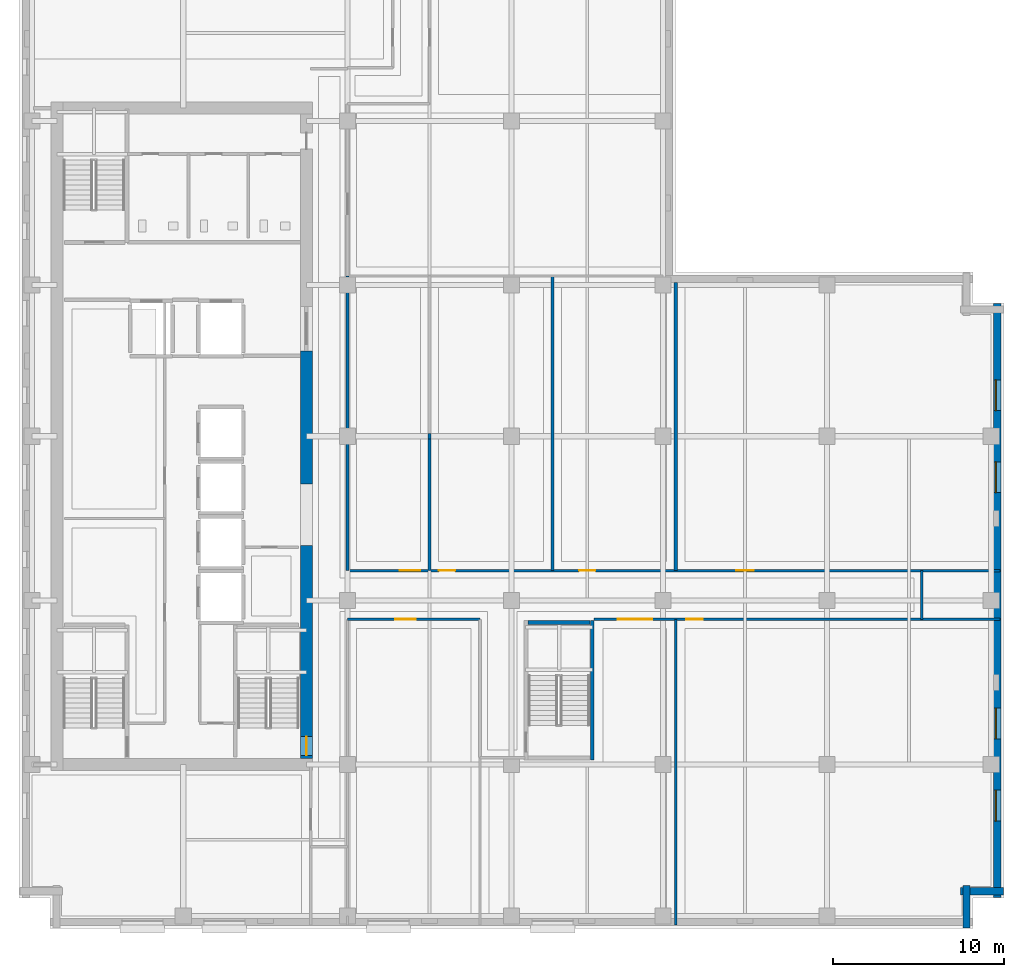
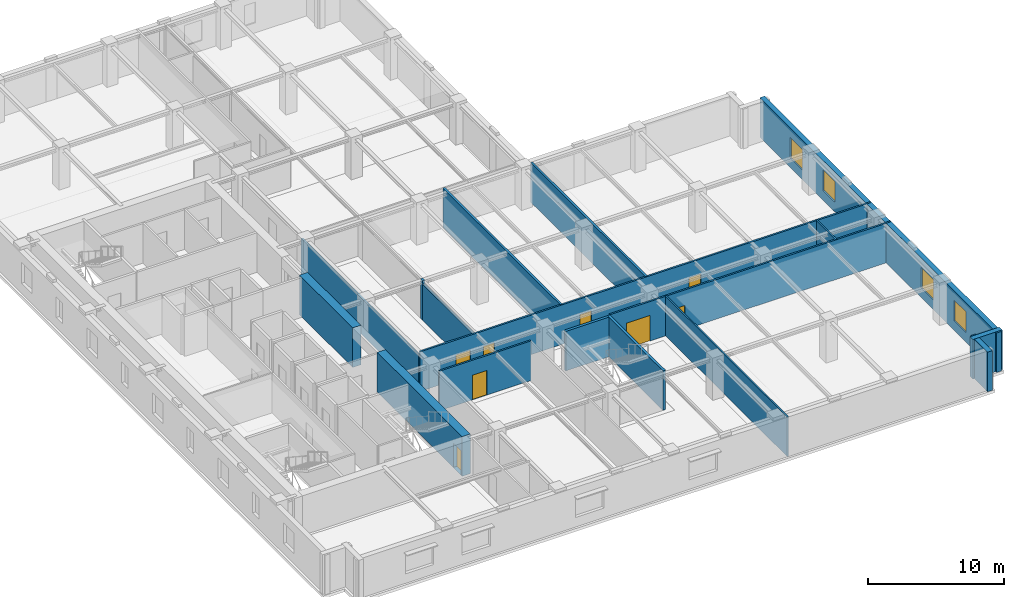
# One storey, part 5 of 13: 17 walls, 8 doors, 4 windows, 12 openings.
"""IFC4 building model written with IfcOpenShell, lengths in metres."""

from ifc_helpers import new_model, si_unit, direction, frame, frame_2d, origin, place, context, subcontext, project, spatial, rectangle, extrude, material, layer, layer_set, type_object, element, fill, save


model = new_model("IFC4")

# Units and contexts
model_context = context("Model", 3, precision=1e-05, world=origin(), true_north=direction((0.0, 1.0)))
body_context = subcontext(model_context, "Body", "Model", "MODEL_VIEW")
ifc_project = project(units=[si_unit("LENGTHUNIT", "METRE"), si_unit("AREAUNIT", "SQUARE_METRE"), si_unit("VOLUMEUNIT", "CUBIC_METRE"), si_unit("PLANEANGLEUNIT", "RADIAN"), si_unit("MASSUNIT", "GRAM", prefix="KILO")], contexts=[model_context])

# Site, building, storey
site_placement = place(None, origin())
site = spatial("IfcSite", under=ifc_project, at=site_placement, CompositionType="ELEMENT")
building_placement = place(site_placement, origin())
building = spatial("IfcBuilding", under=site, at=building_placement, Name="Norrvale University Quadrangle", CompositionType="ELEMENT")
storey_placement = place(building_placement, frame((0.0, 0.0, 175.0)))
storey = spatial("IfcBuildingStorey", under=building, at=storey_placement, Name="L44", CompositionType="ELEMENT", Elevation=175.0)

# Walls
ifc_material_1 = material(Name="Buff Norman Clay Brick Masonry", Category="masonry")
ifc_layer_1 = layer(ifc_material_1, 0.419921875, Name="Buff Norman Clay Brick Masonry")
ifc_layer_set_1 = layer_set([ifc_layer_1], Name="Buff Norman Clay Brick Masonry")
wall_type_1 = type_object("IfcWallType", Name="Wall Buff Brick 420", PredefinedType="SOLIDWALL", material=ifc_layer_set_1)
for number, where, z_axis, x_axis, name in (
    (1, (55.409912109375, 0.0400390625, 0.0), (0.0, 0.0, 1.0), (0.0, 1.0, 0.0), "Exterior Brick Facade Wall L44-02.1"),
    (2, (55.06005859375, 2.18994140625, 0.0), (0.0, 0.0, 1.0), (1.0, 0.0, 0.0), "Exterior Brick Facade Wall L44-03.1"),
):
    element("IfcWall", number, at=place(storey_placement, frame(where, z_axis=z_axis, x_axis=x_axis)), inside=storey, type_object=wall_type_1, Name=name, PredefinedType="SOLIDWALL", context=body_context, shape_type="SweptSolid", body=[
        extrude(rectangle(XDim=2.5, YDim=0.419921875, at=frame_2d((1.25, 0.0))), origin(), (0.0, 0.0, 1.0), 3.5400390625),
    ])

# Wall, openings, windows
wall_1_placement = place(storey_placement, frame((57.2099609375, 1.840087890625, 0.0), z_axis=(0.0, 0.0, 1.0), x_axis=(0.0, 1.0, 0.0)))
wall_1 = element("IfcWall", 3, at=wall_1_placement, inside=storey, type_object=wall_type_1, Name="Exterior Brick Facade Wall L44-04.1", PredefinedType="SOLIDWALL", context=body_context, shape_type="SweptSolid", body=[
    extrude(rectangle(XDim=34.719970703125, YDim=0.419921875, at=frame_2d((17.35986328125, 0.0))), origin(), (0.0, 0.0, 1.0), 3.5400390625),
])
opening_1_placement = place(wall_1_placement, frame((4.4599609375, 0.0, 0.85009765625)))
opening_1 = element("IfcOpeningElement", 4, at=opening_1_placement, cuts=wall_1, Name="Opening W01", PredefinedType="OPENING", context=body_context, shape_type="SweptSolid", body=[
    extrude(rectangle(XDim=1.800048828125, YDim=1.85009765625, at=frame_2d((0.89990234375, 0.925048828125))), frame((0.0, 0.221923828125, 0.0), z_axis=(0.0, -1.0, 0.0), x_axis=(1.0, 0.0, 0.0)), (0.0, 0.0, 1.0), 0.44384765625),
])
opening_2_placement = place(wall_1_placement, frame((9.260009765625, 0.0, 0.85009765625)))
opening_2 = element("IfcOpeningElement", 5, at=opening_2_placement, cuts=wall_1, Name="Opening W01", PredefinedType="OPENING", context=body_context, shape_type="SweptSolid", body=[
    extrude(rectangle(XDim=1.800048828125, YDim=1.85009765625, at=frame_2d((0.89990234375, 0.925048828125))), frame((0.0, 0.221923828125, 0.0), z_axis=(0.0, -1.0, 0.0), x_axis=(1.0, 0.0, 0.0)), (0.0, 0.0, 1.0), 0.44384765625),
])
opening_3_placement = place(wall_1_placement, frame((23.659912109375, 0.0, 0.85009765625)))
opening_3 = element("IfcOpeningElement", 6, at=opening_3_placement, cuts=wall_1, Name="Opening W01", PredefinedType="OPENING", context=body_context, shape_type="SweptSolid", body=[
    extrude(rectangle(XDim=1.800048828125, YDim=1.85009765625, at=frame_2d((0.89990234375, 0.925048828125))), frame((0.0, 0.221923828125, 0.0), z_axis=(0.0, -1.0, 0.0), x_axis=(1.0, 0.0, 0.0)), (0.0, 0.0, 1.0), 0.44384765625),
])
opening_4_placement = place(wall_1_placement, frame((28.4599609375, 0.0, 0.85009765625)))
opening_4 = element("IfcOpeningElement", 7, at=opening_4_placement, cuts=wall_1, Name="Opening W01", PredefinedType="OPENING", context=body_context, shape_type="SweptSolid", body=[
    extrude(rectangle(XDim=1.800048828125, YDim=1.85009765625, at=frame_2d((0.89990234375, 0.925048828125))), frame((0.0, 0.221923828125, 0.0), z_axis=(0.0, -1.0, 0.0), x_axis=(1.0, 0.0, 0.0)), (0.0, 0.0, 1.0), 0.44384765625),
])
ifc_material_2 = material(Name="Triple Low-E Argon Glazing", Category="glass")
window_type = type_object("IfcWindowType", Name="Window Academic 1800x2300", PartitioningType="DOUBLE_PANEL_VERTICAL", PredefinedType="WINDOW", material=ifc_material_2)
window_1_placement = place(opening_1_placement, origin())
window_1 = element("IfcWindow", 8, at=window_1_placement, inside=storey, type_object=window_type, Name="Window Academic 1800x2300 WIN-L44-E04-1-01", OverallHeight=1.85009765625, OverallWidth=1.800048828125, PartitioningType="DOUBLE_PANEL_VERTICAL", PredefinedType="WINDOW", context=body_context, shape_type="SweptSolid", body=[
    extrude(rectangle(XDim=1.800048828125, YDim=1.85009765625, at=frame_2d((0.89990234375, 0.925048828125))), frame((0.0, 0.110107421875, 0.0), z_axis=(0.0, -1.0, 0.0), x_axis=(1.0, 0.0, 0.0)), (0.0, 0.0, 1.0), 0.06005859375),
])
fill(opening_1, window_1)
window_2_placement = place(opening_2_placement, origin())
window_2 = element("IfcWindow", 9, at=window_2_placement, inside=storey, type_object=window_type, Name="Window Academic 1800x2300 WIN-L44-E04-1-02", OverallHeight=1.85009765625, OverallWidth=1.800048828125, PartitioningType="DOUBLE_PANEL_VERTICAL", PredefinedType="WINDOW", context=body_context, shape_type="SweptSolid", body=[
    extrude(rectangle(XDim=1.800048828125, YDim=1.85009765625, at=frame_2d((0.89990234375, 0.925048828125))), frame((0.0, 0.110107421875, 0.0), z_axis=(0.0, -1.0, 0.0), x_axis=(1.0, 0.0, 0.0)), (0.0, 0.0, 1.0), 0.06005859375),
])
fill(opening_2, window_2)
window_3_placement = place(opening_3_placement, origin())
window_3 = element("IfcWindow", 10, at=window_3_placement, inside=storey, type_object=window_type, Name="Window Academic 1800x2300 WIN-L44-E04-1-03", OverallHeight=1.85009765625, OverallWidth=1.800048828125, PartitioningType="DOUBLE_PANEL_VERTICAL", PredefinedType="WINDOW", context=body_context, shape_type="SweptSolid", body=[
    extrude(rectangle(XDim=1.800048828125, YDim=1.85009765625, at=frame_2d((0.89990234375, 0.925048828125))), frame((0.0, 0.110107421875, 0.0), z_axis=(0.0, -1.0, 0.0), x_axis=(1.0, 0.0, 0.0)), (0.0, 0.0, 1.0), 0.06005859375),
])
fill(opening_3, window_3)
window_4_placement = place(opening_4_placement, origin())
window_4 = element("IfcWindow", 11, at=window_4_placement, inside=storey, type_object=window_type, Name="Window Academic 1800x2300 WIN-L44-E04-1-04", OverallHeight=1.85009765625, OverallWidth=1.800048828125, PartitioningType="DOUBLE_PANEL_VERTICAL", PredefinedType="WINDOW", context=body_context, shape_type="SweptSolid", body=[
    extrude(rectangle(XDim=1.800048828125, YDim=1.85009765625, at=frame_2d((0.89990234375, 0.925048828125))), frame((0.0, 0.110107421875, 0.0), z_axis=(0.0, -1.0, 0.0), x_axis=(1.0, 0.0, 0.0)), (0.0, 0.0, 1.0), 0.06005859375),
])
fill(opening_4, window_4)

# Wall, opening, door
ifc_material_3 = material(Name="Concrete C60/75", Category="concrete")
ifc_layer_2 = layer(ifc_material_3, 0.699951171875, Name="Concrete C60/75")
ifc_layer_set_2 = layer_set([ifc_layer_2], Name="Concrete C60/75")
wall_type_2 = type_object("IfcWallType", Name="Wall Core 700", PredefinedType="SHEAR", material=ifc_layer_set_2)
wall_2_placement = place(storey_placement, frame((16.800048828125, 9.949951171875, 0.0), z_axis=(0.0, 0.0, 1.0), x_axis=(0.0, 1.0, 0.0)))
wall_2 = element("IfcWall", 12, at=wall_2_placement, inside=storey, type_object=wall_type_2, Name="Tower Core Shear Wall L44-E1", PredefinedType="SHEAR", context=body_context, shape_type="SweptSolid", body=[
    extrude(rectangle(XDim=12.449951171875, YDim=0.699951171875, at=frame_2d((6.22509765625, 0.0))), origin(), (0.0, 0.0, 1.0), 3.5400390625),
])
opening_5_placement = place(wall_2_placement, frame((0.18994140625, 0.0, 0.0)))
opening_5 = element("IfcOpeningElement", 13, at=opening_5_placement, cuts=wall_2, Name="Opening D02", PredefinedType="OPENING", context=body_context, shape_type="SweptSolid", body=[
    extrude(rectangle(XDim=1.10009765625, YDim=2.199951171875, at=frame_2d((0.550048828125, 1.10009765625))), frame((0.0, 0.362060546875, 0.0), z_axis=(0.0, -1.0, 0.0), x_axis=(1.0, 0.0, 0.0)), (0.0, 0.0, 1.0), 0.723876953125),
])
ifc_material_4 = material(Name="Hollow Steel 350W Fire Door", Category="steel")
door_type_1 = type_object("IfcDoorType", Name="Door Stair Exit 1100x2200", OperationType="NOTDEFINED", PredefinedType="DOOR", material=ifc_material_4)
door_1_placement = place(opening_5_placement, origin())
door_1 = element("IfcDoor", 14, at=door_1_placement, inside=storey, type_object=door_type_1, Name="Door Stair Exit 1100x2200 DR-L44-ST03", OperationType="SINGLE_SWING_LEFT", OverallHeight=2.199951171875, OverallWidth=1.10009765625, PredefinedType="DOOR", context=body_context, shape_type="SweptSolid", body=[
    extrude(rectangle(XDim=1.10009765625, YDim=2.199951171875, at=frame_2d((0.550048828125, 1.10009765625))), frame((0.0, 0.02490234375, 0.0), z_axis=(0.0, -1.0, 0.0), x_axis=(1.0, 0.0, 0.0)), (0.0, 0.0, 1.0), 0.050048828125),
])
fill(opening_5, door_1)

# Walls
wall_3_placement = place(storey_placement, frame((16.800048828125, 26.0, 0.0), z_axis=(0.0, 0.0, 1.0), x_axis=(0.0, 1.0, 0.0)))
element("IfcWall", 15, at=wall_3_placement, inside=storey, type_object=wall_type_2, Name="Tower Core Shear Wall L44-E2", PredefinedType="SHEAR", context=body_context, shape_type="SweptSolid", body=[
    extrude(rectangle(XDim=7.800048828125, YDim=0.699951171875, at=frame_2d((3.89990234375, 0.0))), origin(), (0.0, 0.0, 1.0), 3.5400390625),
])
ifc_material_5 = material(Name="Standard Academic Gypsum Partition")
ifc_layer_3 = layer(ifc_material_5, 0.125, Name="Standard Academic Gypsum Partition")
ifc_layer_set_3 = layer_set([ifc_layer_3], Name="Standard Academic Gypsum Partition")
wall_type_3 = type_object("IfcWallType", Name="Wall Gypsum Academic 125", PredefinedType="PARTITIONING", material=ifc_layer_set_3)
wall_4_placement = place(storey_placement, frame((38.39990234375, 0.219970703125, 0.0), z_axis=(0.0, 0.0, 1.0), x_axis=(0.0, 1.0, 0.0)))
element("IfcWall", 16, at=wall_4_placement, inside=storey, type_object=wall_type_3, Name="Interior Partition WL-L44-SEP2", PredefinedType="PARTITIONING", context=body_context, shape_type="SweptSolid", body=[
    extrude(rectangle(XDim=17.880126953125, YDim=0.125, at=frame_2d((8.93994140625, 0.0))), origin(), (0.0, 0.0, 1.0), 3.5400390625),
])
ifc_material_6 = material(Name="Fire-Rated Gypsum Stud Partition")
ifc_layer_4 = layer(ifc_material_6, 0.14990234375, Name="Fire-Rated Gypsum Stud Partition")
ifc_layer_set_4 = layer_set([ifc_layer_4], Name="Fire-Rated Gypsum Stud Partition")
wall_type_4 = type_object("IfcWallType", Name="Wall Gypsum Corridor 150", PredefinedType="PARTITIONING", material=ifc_layer_set_4)
wall_5_placement = place(storey_placement, frame((52.800048828125, 18.10009765625, 0.0), z_axis=(0.0, 0.0, 1.0), x_axis=(0.0, 1.0, 0.0)))
element("IfcWall", 17, at=wall_5_placement, inside=storey, type_object=wall_type_4, Name="Interior Partition WL-L44-CESP-E", PredefinedType="PARTITIONING", context=body_context, shape_type="SweptSolid", body=[
    extrude(rectangle(XDim=2.849853515625, YDim=0.14990234375, at=frame_2d((1.4248046875, 0.0))), origin(), (0.0, 0.0, 1.0), 3.5400390625),
])

# Wall, opening, door
wall_6_placement = place(storey_placement, frame((19.199951171875, 18.10009765625, 0.0), z_axis=(0.0, 0.0, 1.0), x_axis=(1.0, 0.0, 0.0)))
wall_6 = element("IfcWall", 18, at=wall_6_placement, inside=storey, type_object=wall_type_4, Name="Interior Partition WL-L44-SEW1", PredefinedType="PARTITIONING", context=body_context, shape_type="SweptSolid", body=[
    extrude(rectangle(XDim=7.75, YDim=0.14990234375, at=frame_2d((3.875, 0.0))), origin(), (0.0, 0.0, 1.0), 3.5400390625),
])
opening_6_placement = place(wall_6_placement, frame((2.800048828125, 0.0, 0.0)))
opening_6 = element("IfcOpeningElement", 19, at=opening_6_placement, cuts=wall_6, Name="Opening D05", PredefinedType="OPENING", context=body_context, shape_type="SweptSolid", body=[
    extrude(rectangle(XDim=1.199951171875, YDim=2.199951171875, at=frame_2d((0.60009765625, 1.10009765625))), frame((0.0, 0.0869140625, 0.0), z_axis=(0.0, -1.0, 0.0), x_axis=(1.0, 0.0, 0.0)), (0.0, 0.0, 1.0), 0.173828125),
])
ifc_material_7 = material(Name="Acoustic Oak Classroom Door", Category="wood")
door_type_2 = type_object("IfcDoorType", Name="Door Classroom 1200x2200", OperationType="NOTDEFINED", PredefinedType="DOOR", material=ifc_material_7)
door_2_placement = place(opening_6_placement, origin())
door_2 = element("IfcDoor", 20, at=door_2_placement, inside=storey, type_object=door_type_2, Name="Door Classroom 1200x2200 DR-L44-SE1", OperationType="SINGLE_SWING_LEFT", OverallHeight=2.199951171875, OverallWidth=1.199951171875, PredefinedType="DOOR", context=body_context, shape_type="SweptSolid", body=[
    extrude(rectangle(XDim=1.199951171875, YDim=2.199951171875, at=frame_2d((0.60009765625, 1.10009765625))), frame((0.0, 0.02490234375, 0.0), z_axis=(0.0, -1.0, 0.0), x_axis=(1.0, 0.0, 0.0)), (0.0, 0.0, 1.0), 0.050048828125),
])
fill(opening_6, door_2)

# Wall, openings, doors
wall_7_placement = place(storey_placement, frame((33.6201171875, 18.10009765625, 0.0), z_axis=(0.0, 0.0, 1.0), x_axis=(1.0, 0.0, 0.0)))
wall_7 = element("IfcWall", 21, at=wall_7_placement, inside=storey, type_object=wall_type_4, Name="Interior Partition WL-L44-SEW2", PredefinedType="PARTITIONING", context=body_context, shape_type="SweptSolid", body=[
    extrude(rectangle(XDim=23.759765625, YDim=0.14990234375, at=frame_2d((11.8798828125, 0.0))), origin(), (0.0, 0.0, 1.0), 3.5400390625),
])
opening_7_placement = place(wall_7_placement, frame((1.39990234375, 0.0, 0.0)))
opening_7 = element("IfcOpeningElement", 22, at=opening_7_placement, cuts=wall_7, Name="Opening D06", PredefinedType="OPENING", context=body_context, shape_type="SweptSolid", body=[
    extrude(rectangle(XDim=2.0, YDim=2.300048828125, at=frame_2d((1.0, 1.14990234375))), frame((0.0, 0.0869140625, 0.0), z_axis=(0.0, -1.0, 0.0), x_axis=(1.0, 0.0, 0.0)), (0.0, 0.0, 1.0), 0.173828125),
])
opening_8_placement = place(wall_7_placement, frame((5.39990234375, 0.0, 0.0)))
opening_8 = element("IfcOpeningElement", 23, at=opening_8_placement, cuts=wall_7, Name="Opening D07", PredefinedType="OPENING", context=body_context, shape_type="SweptSolid", body=[
    extrude(rectangle(XDim=0.949951171875, YDim=2.14990234375, at=frame_2d((0.47509765625, 1.074951171875))), frame((0.0, 0.0869140625, 0.0), z_axis=(0.0, -1.0, 0.0), x_axis=(1.0, 0.0, 0.0)), (0.0, 0.0, 1.0), 0.173828125),
])
ifc_material_8 = material(Name="Acoustic Oak Double Door", Category="wood")
door_type_3 = type_object("IfcDoorType", Name="Door Lecture Dbl 2000x2300", OperationType="DOUBLE_SWING_LEFT", PredefinedType="DOOR", material=ifc_material_8)
door_3_placement = place(opening_7_placement, origin())
door_3 = element("IfcDoor", 24, at=door_3_placement, inside=storey, type_object=door_type_3, Name="Door Lecture Dbl 2000x2300 DR-L44-SE2", OperationType="DOUBLE_SWING_LEFT", OverallHeight=2.300048828125, OverallWidth=2.0, PredefinedType="DOOR", context=body_context, shape_type="SweptSolid", body=[
    extrude(rectangle(XDim=2.0, YDim=2.300048828125, at=frame_2d((1.0, 1.14990234375))), frame((0.0, 0.02490234375, 0.0), z_axis=(0.0, -1.0, 0.0), x_axis=(1.0, 0.0, 0.0)), (0.0, 0.0, 1.0), 0.050048828125),
])
fill(opening_7, door_3)
ifc_material_9 = material(Name="Solid-Core Maple Door", Category="wood")
door_type_4 = type_object("IfcDoorType", Name="Door Office 950x2150", OperationType="NOTDEFINED", PredefinedType="DOOR", material=ifc_material_9)
door_4_placement = place(opening_8_placement, origin())
door_4 = element("IfcDoor", 25, at=door_4_placement, inside=storey, type_object=door_type_4, Name="Door Office 950x2150 DR-L44-SE3", OperationType="SINGLE_SWING_LEFT", OverallHeight=2.14990234375, OverallWidth=0.949951171875, PredefinedType="DOOR", context=body_context, shape_type="SweptSolid", body=[
    extrude(rectangle(XDim=0.949951171875, YDim=2.14990234375, at=frame_2d((0.47509765625, 1.074951171875))), frame((0.0, 0.02490234375, 0.0), z_axis=(0.0, -1.0, 0.0), x_axis=(1.0, 0.0, 0.0)), (0.0, 0.0, 1.0), 0.050048828125),
])
fill(opening_8, door_4)

wall_8_placement = place(storey_placement, frame((19.199951171875, 20.949951171875, 0.0), z_axis=(0.0, 0.0, 1.0), x_axis=(1.0, 0.0, 0.0)))
wall_8 = element("IfcWall", 26, at=wall_8_placement, inside=storey, type_object=wall_type_4, Name="Interior Partition WL-L44-MECW", PredefinedType="PARTITIONING", context=body_context, shape_type="SweptSolid", body=[
    extrude(rectangle(XDim=38.179931640625, YDim=0.14990234375, at=frame_2d((19.08984375, 0.0))), origin(), (0.0, 0.0, 1.0), 3.5400390625),
])
opening_9_placement = place(wall_8_placement, frame((3.050048828125, 0.0, 0.0)))
opening_9 = element("IfcOpeningElement", 27, at=opening_9_placement, cuts=wall_8, Name="Opening D05", PredefinedType="OPENING", context=body_context, shape_type="SweptSolid", body=[
    extrude(rectangle(XDim=1.199951171875, YDim=2.199951171875, at=frame_2d((0.60009765625, 1.10009765625))), frame((0.0, 0.0869140625, 0.0), z_axis=(0.0, -1.0, 0.0), x_axis=(1.0, 0.0, 0.0)), (0.0, 0.0, 1.0), 0.173828125),
])
opening_10_placement = place(wall_8_placement, frame((5.35009765625, 0.0, 0.0)))
opening_10 = element("IfcOpeningElement", 28, at=opening_10_placement, cuts=wall_8, Name="Opening D07", PredefinedType="OPENING", context=body_context, shape_type="SweptSolid", body=[
    extrude(rectangle(XDim=0.949951171875, YDim=2.14990234375, at=frame_2d((0.47509765625, 1.074951171875))), frame((0.0, 0.0869140625, 0.0), z_axis=(0.0, -1.0, 0.0), x_axis=(1.0, 0.0, 0.0)), (0.0, 0.0, 1.0), 0.173828125),
])
opening_11_placement = place(wall_8_placement, frame((13.550048828125, 0.0, 0.0)))
opening_11 = element("IfcOpeningElement", 29, at=opening_11_placement, cuts=wall_8, Name="Opening D07", PredefinedType="OPENING", context=body_context, shape_type="SweptSolid", body=[
    extrude(rectangle(XDim=0.949951171875, YDim=2.14990234375, at=frame_2d((0.47509765625, 1.074951171875))), frame((0.0, 0.0869140625, 0.0), z_axis=(0.0, -1.0, 0.0), x_axis=(1.0, 0.0, 0.0)), (0.0, 0.0, 1.0), 0.173828125),
])
opening_12_placement = place(wall_8_placement, frame((22.75, 0.0, 0.0)))
opening_12 = element("IfcOpeningElement", 30, at=opening_12_placement, cuts=wall_8, Name="Opening D04", PredefinedType="OPENING", context=body_context, shape_type="SweptSolid", body=[
    extrude(rectangle(XDim=1.0, YDim=2.199951171875, at=frame_2d((0.5, 1.10009765625))), frame((0.0, 0.0869140625, 0.0), z_axis=(0.0, -1.0, 0.0), x_axis=(1.0, 0.0, 0.0)), (0.0, 0.0, 1.0), 0.173828125),
])
door_5_placement = place(opening_9_placement, origin())
door_5 = element("IfcDoor", 31, at=door_5_placement, inside=storey, type_object=door_type_2, Name="Door Classroom 1200x2200 DR-L44-ME01", OperationType="SINGLE_SWING_LEFT", OverallHeight=2.199951171875, OverallWidth=1.199951171875, PredefinedType="DOOR", context=body_context, shape_type="SweptSolid", body=[
    extrude(rectangle(XDim=1.199951171875, YDim=2.199951171875, at=frame_2d((0.60009765625, 1.10009765625))), frame((0.0, 0.02490234375, 0.0), z_axis=(0.0, -1.0, 0.0), x_axis=(1.0, 0.0, 0.0)), (0.0, 0.0, 1.0), 0.050048828125),
])
fill(opening_9, door_5)
ifc_material_10 = material(Name="Solid-Core Oak Fire Door", Category="wood")
door_type_5 = type_object("IfcDoorType", Name="Door Corridor 1000x2200", OperationType="NOTDEFINED", PredefinedType="DOOR", material=ifc_material_10)
door_6_placement = place(opening_12_placement, origin())
door_6 = element("IfcDoor", 32, at=door_6_placement, inside=storey, type_object=door_type_5, Name="Door Corridor 1000x2200 DR-L44-ME04", OperationType="SINGLE_SWING_RIGHT", OverallHeight=2.199951171875, OverallWidth=1.0, PredefinedType="DOOR", context=body_context, shape_type="SweptSolid", body=[
    extrude(rectangle(XDim=1.0, YDim=2.199951171875, at=frame_2d((0.5, 1.10009765625))), frame((0.0, 0.02490234375, 0.0), z_axis=(0.0, -1.0, 0.0), x_axis=(1.0, 0.0, 0.0)), (0.0, 0.0, 1.0), 0.050048828125),
])
fill(opening_12, door_6)
door_7_placement = place(opening_10_placement, origin())
door_7 = element("IfcDoor", 33, at=door_7_placement, inside=storey, type_object=door_type_4, Name="Door Office 950x2150 DR-L44-ME02", OperationType="SINGLE_SWING_RIGHT", OverallHeight=2.14990234375, OverallWidth=0.949951171875, PredefinedType="DOOR", context=body_context, shape_type="SweptSolid", body=[
    extrude(rectangle(XDim=0.949951171875, YDim=2.14990234375, at=frame_2d((0.47509765625, 1.074951171875))), frame((0.0, 0.02490234375, 0.0), z_axis=(0.0, -1.0, 0.0), x_axis=(1.0, 0.0, 0.0)), (0.0, 0.0, 1.0), 0.050048828125),
])
fill(opening_10, door_7)
door_8_placement = place(opening_11_placement, origin())
door_8 = element("IfcDoor", 34, at=door_8_placement, inside=storey, type_object=door_type_4, Name="Door Office 950x2150 DR-L44-ME03", OperationType="SINGLE_SWING_LEFT", OverallHeight=2.14990234375, OverallWidth=0.949951171875, PredefinedType="DOOR", context=body_context, shape_type="SweptSolid", body=[
    extrude(rectangle(XDim=0.949951171875, YDim=2.14990234375, at=frame_2d((0.47509765625, 1.074951171875))), frame((0.0, 0.02490234375, 0.0), z_axis=(0.0, -1.0, 0.0), x_axis=(1.0, 0.0, 0.0)), (0.0, 0.0, 1.0), 0.050048828125),
])
fill(opening_11, door_8)

# Walls
wall_9_placement = place(storey_placement, frame((19.199951171875, 20.949951171875, 0.0), z_axis=(0.0, 0.0, 1.0), x_axis=(0.0, 1.0, 0.0)))
element("IfcWall", 35, at=wall_9_placement, inside=storey, type_object=wall_type_4, Name="Interior Partition WL-L44-ME-W", PredefinedType="PARTITIONING", context=body_context, shape_type="SweptSolid", body=[
    extrude(rectangle(XDim=17.22998046875, YDim=0.14990234375, at=frame_2d((8.614990234375, 0.0))), origin(), (0.0, 0.0, 1.0), 3.23193359375),
])
ifc_material_11 = material(Name="Acoustic Double-Stud Gypsum Partition")
ifc_layer_5 = layer(ifc_material_11, 0.179931640625, Name="Acoustic Double-Stud Gypsum Partition")
ifc_layer_set_5 = layer_set([ifc_layer_5], Name="Acoustic Double-Stud Gypsum Partition")
wall_type_5 = type_object("IfcWallType", Name="Wall Gypsum Lecture 180", PredefinedType="PARTITIONING", material=ifc_layer_set_5)
wall_10_placement = place(storey_placement, frame((24.0, 20.949951171875, 0.0), z_axis=(0.0, 0.0, 1.0), x_axis=(0.0, 1.0, 0.0)))
element("IfcWall", 36, at=wall_10_placement, inside=storey, type_object=wall_type_5, Name="Interior Partition WL-L44-MEP01", PredefinedType="PARTITIONING", context=body_context, shape_type="SweptSolid", body=[
    extrude(rectangle(XDim=7.697509765625, YDim=0.179931640625, at=frame_2d((3.8486328125, 0.0))), origin(), (0.0, 0.0, 1.0), 3.222900390625),
])
wall_11_placement = place(storey_placement, frame((24.0, 28.6474609375, 0.0), z_axis=(0.0, 0.0, 1.0), x_axis=(0.0, 1.0, 0.0)))
element("IfcWall", 37, at=wall_11_placement, inside=storey, type_object=wall_type_5, Name="Interior Partition WL-L44-MEP01-B2", PredefinedType="PARTITIONING", context=body_context, shape_type="SweptSolid", body=[
    extrude(rectangle(XDim=0.304931640625, YDim=0.179931640625, at=frame_2d((0.15234375, 0.0))), origin(), (0.0, 0.0, 1.0), 3.5400390625),
])
wall_12_placement = place(storey_placement, frame((31.199951171875, 20.949951171875, 0.0), z_axis=(0.0, 0.0, 1.0), x_axis=(0.0, 1.0, 0.0)))
element("IfcWall", 38, at=wall_12_placement, inside=storey, type_object=wall_type_5, Name="Interior Partition WL-L44-MEP02", PredefinedType="PARTITIONING", context=body_context, shape_type="SweptSolid", body=[
    extrude(rectangle(XDim=17.22998046875, YDim=0.179931640625, at=frame_2d((8.614990234375, 0.0))), origin(), (0.0, 0.0, 1.0), 3.5400390625),
])
wall_13_placement = place(storey_placement, frame((38.39990234375, 20.949951171875, 0.0), z_axis=(0.0, 0.0, 1.0), x_axis=(0.0, 1.0, 0.0)))
element("IfcWall", 39, at=wall_13_placement, inside=storey, type_object=wall_type_5, Name="Interior Partition WL-L44-MEP03", PredefinedType="PARTITIONING", context=body_context, shape_type="SweptSolid", body=[
    extrude(rectangle(XDim=16.840087890625, YDim=0.179931640625, at=frame_2d((8.419921875, 0.0))), origin(), (0.0, 0.0, 1.0), 3.5400390625),
])
ifc_material_12 = material(Name="Concrete Blockwork 20 MPa Fire Shaft", Category="masonry")
ifc_layer_6 = layer(ifc_material_12, 0.219970703125, Name="Concrete Blockwork 20 MPa Fire Shaft")
ifc_layer_set_6 = layer_set([ifc_layer_6], Name="Concrete Blockwork 20 MPa Fire Shaft")
wall_type_6 = type_object("IfcWallType", Name="Wall Shaft 220", PredefinedType="SOLIDWALL", material=ifc_layer_set_6)
wall_14_placement = place(storey_placement, frame((33.510009765625, 9.8798828125, 0.0), z_axis=(0.0, 0.0, 1.0), x_axis=(0.0, 1.0, 0.0)))
element("IfcWall", 40, at=wall_14_placement, inside=storey, type_object=wall_type_6, Name="Stair ST-04 East Shaft Wall L44", PredefinedType="SOLIDWALL", context=body_context, shape_type="SweptSolid", body=[
    extrude(rectangle(XDim=8.14013671875, YDim=0.219970703125, at=frame_2d((4.070068359375, 0.0))), origin(), (0.0, 0.0, 1.0), 3.5400390625),
])
wall_15_placement = place(storey_placement, frame((29.75, 17.909912109375, 0.0), z_axis=(0.0, 0.0, 1.0), x_axis=(1.0, 0.0, 0.0)))
element("IfcWall", 41, at=wall_15_placement, inside=storey, type_object=wall_type_6, Name="Stair ST-04 North Shaft Wall L44", PredefinedType="SOLIDWALL", context=body_context, shape_type="SweptSolid", body=[
    extrude(rectangle(XDim=3.64990234375, YDim=0.219970703125, at=frame_2d((1.824951171875, 0.0))), origin(), (0.0, 0.0, 1.0), 3.5400390625),
])

save(model, "model.ifc")
